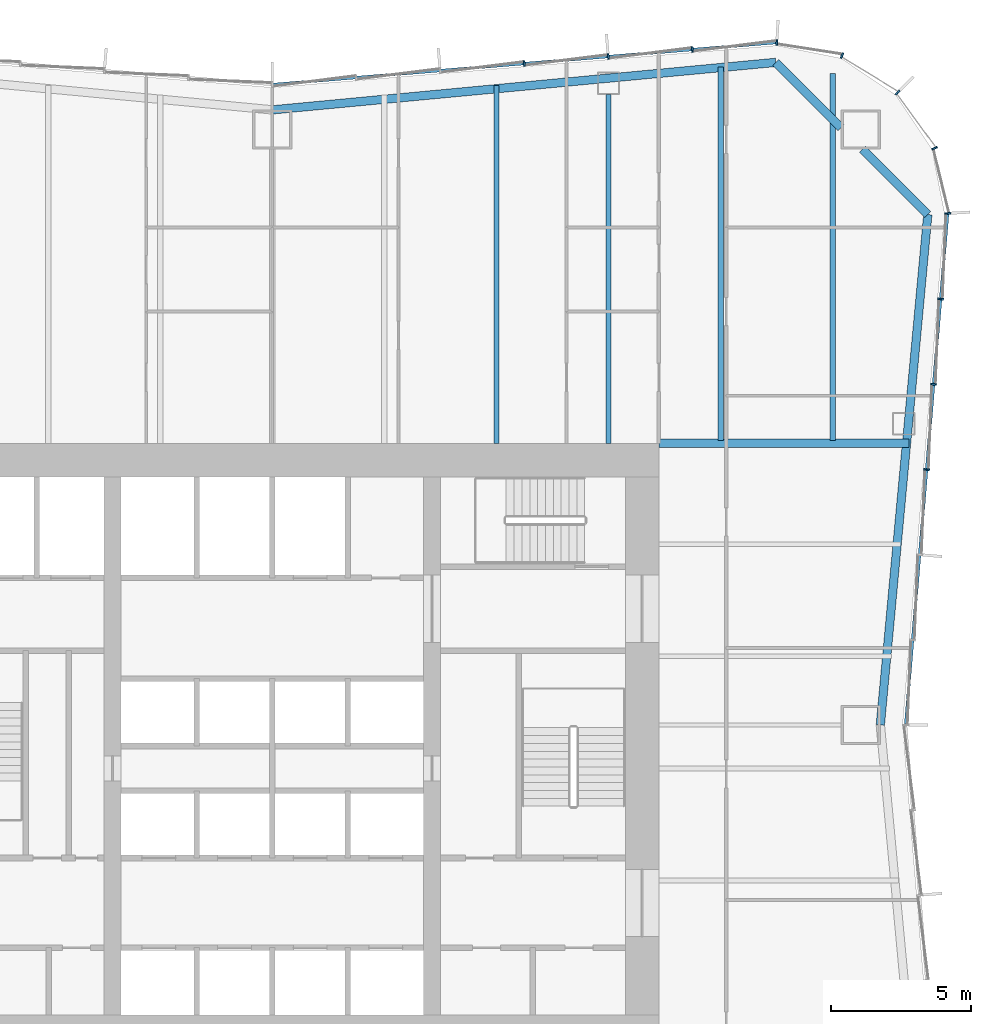
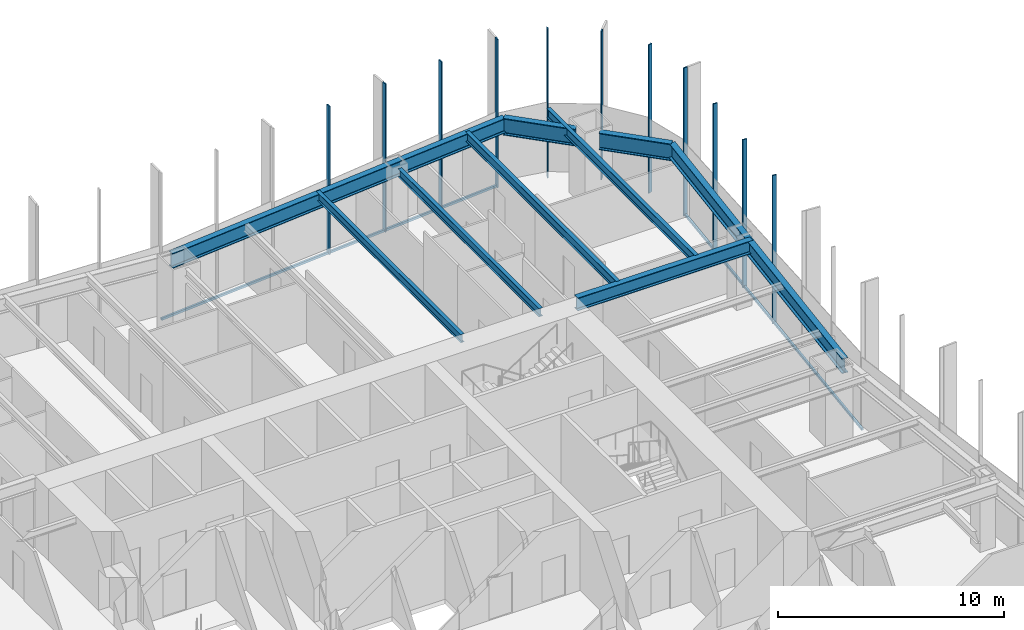
# One storey, part 6 of 13: 13 members, 9 beams, 3 elements without a shape of their own.
"""IFC4 building model written with IfcOpenShell, lengths in metres."""

from ifc_helpers import new_model, si_unit, direction, frame, origin, origin_2d, place, context, subcontext, project, spatial, rectangle, i_section, extrude, material, material_profile, profile_set, type_object, element, aggregate, save


model = new_model("IFC4")

# Units and contexts
model_context = context("Model", 3, precision=1e-05, world=origin(), true_north=direction((0.0, 1.0)))
body_context = subcontext(model_context, "Body", "Model", "MODEL_VIEW")
ifc_project = project(units=[si_unit("LENGTHUNIT", "METRE"), si_unit("AREAUNIT", "SQUARE_METRE"), si_unit("VOLUMEUNIT", "CUBIC_METRE"), si_unit("PLANEANGLEUNIT", "RADIAN"), si_unit("MASSUNIT", "GRAM", prefix="KILO")], contexts=[model_context])

# Site, building, storey
site_placement = place(None, origin())
site = spatial("IfcSite", under=ifc_project, at=site_placement, CompositionType="ELEMENT")
building_placement = place(site_placement, origin())
building = spatial("IfcBuilding", under=site, at=building_placement, Name="Verdant Reach Tower", CompositionType="ELEMENT")
storey_placement = place(building_placement, frame((0.0, 0.0, 106.0)))
storey = spatial("IfcBuildingStorey", under=building, at=storey_placement, Name="L24", CompositionType="ELEMENT", Elevation=106.0)

# Curtain wall, members
ifc_material_1 = material(Name="Anodised aluminium", Category="aluminium")
curtain_wall_type = type_object("IfcCurtainWallType", Name="EN-CW SYSTEM Z1", PredefinedType="NOTDEFINED", material=ifc_material_1)
curtain_wall_1_placement = place(storey_placement, origin())
curtain_wall_1 = element("IfcCurtainWall", 1, at=curtain_wall_1_placement, inside=storey, type_object=curtain_wall_type, Name="Curtain wall east, L24", PredefinedType="NOTDEFINED")
ifc_material_profile_1 = material_profile(ifc_material_1, rectangle(XDim=0.2060546875, YDim=0.06201171875, at=origin_2d()), Name="Mullion 62x206")
ifc_profile_set_1 = profile_set([ifc_material_profile_1], Name="Anodised aluminium")
member_type_1 = type_object("IfcMemberType", Name="EN-MULLION Z1", PredefinedType="MULLION", material=ifc_profile_set_1)
member_1_placement = place(storey_placement, frame((23.3525390625, 37.866455078125, -0.35009765625), z_axis=(0.0, 0.0, 1.0), x_axis=(0.996639273542, -0.081915556724, 0.0)))
member_1 = element("IfcMember", 2, at=member_1_placement, type_object=member_type_1, Name="Mullion east face part 2 4, L24", PredefinedType="MULLION", context=body_context, shape_type="SweptSolid", body=[
    extrude(rectangle(XDim=0.2060546875, YDim=0.06201171875, at=origin_2d()), origin(), (0.0, 0.0, 1.0), 8.0),
])
member_2_placement = place(storey_placement, frame((23.6025390625, 40.908203125, -0.35009765625), z_axis=(0.0, 0.0, 1.0), x_axis=(0.996639273542, -0.081915556724, 0.0)))
member_2 = element("IfcMember", 3, at=member_2_placement, type_object=member_type_1, Name="Mullion east face part 2 5, L24", PredefinedType="MULLION", context=body_context, shape_type="SweptSolid", body=[
    extrude(rectangle(XDim=0.2060546875, YDim=0.06201171875, at=origin_2d()), origin(), (0.0, 0.0, 1.0), 8.0),
])
member_3_placement = place(storey_placement, frame((23.8525390625, 43.949951171875, -0.35009765625), z_axis=(0.0, 0.0, 1.0), x_axis=(0.996639273542, -0.081915556724, 0.0)))
member_3 = element("IfcMember", 4, at=member_3_placement, type_object=member_type_1, Name="Mullion east face part 2 6, L24", PredefinedType="MULLION", context=body_context, shape_type="SweptSolid", body=[
    extrude(rectangle(XDim=0.2060546875, YDim=0.06201171875, at=origin_2d()), origin(), (0.0, 0.0, 1.0), 8.0),
])

curtain_wall_2_placement = place(storey_placement, origin())
curtain_wall_2 = element("IfcCurtainWall", 5, at=curtain_wall_2_placement, inside=storey, type_object=curtain_wall_type, Name="Curtain wall north-east corner, L24", PredefinedType="NOTDEFINED")
member_4_placement = place(storey_placement, frame((24.102783203125, 47.005859375, -0.35009765625), z_axis=(0.0, 0.0, 1.0), x_axis=(0.998366452275, 0.057135164055, 0.0)))
member_4 = element("IfcMember", 6, at=member_4_placement, type_object=member_type_1, Name="Mullion north-east corner 1, L24", PredefinedType="MULLION", context=body_context, shape_type="SweptSolid", body=[
    extrude(rectangle(XDim=0.2060546875, YDim=0.06201171875, at=origin_2d()), origin(), (0.0, 0.0, 1.0), 8.0),
])
member_5_placement = place(storey_placement, frame((23.638427734375, 49.33544921875, -0.35009765625), z_axis=(0.0, 0.0, 1.0), x_axis=(0.923875215753, 0.382693853776, 0.0)))
member_5 = element("IfcMember", 7, at=member_5_placement, type_object=member_type_1, Name="Mullion north-east corner 2, L24", PredefinedType="MULLION", context=body_context, shape_type="SweptSolid", body=[
    extrude(rectangle(XDim=0.2060546875, YDim=0.06201171875, at=origin_2d()), origin(), (0.0, 0.0, 1.0), 8.0),
])
member_6_placement = place(storey_placement, frame((22.3154296875, 51.3154296875, -0.35009765625), z_axis=(0.0, 0.0, 1.0), x_axis=(0.707106781187, 0.707106781187, 0.0)))
member_6 = element("IfcMember", 8, at=member_6_placement, type_object=member_type_1, Name="Mullion north-east corner 3, L24", PredefinedType="MULLION", context=body_context, shape_type="SweptSolid", body=[
    extrude(rectangle(XDim=0.2060546875, YDim=0.06201171875, at=origin_2d()), origin(), (0.0, 0.0, 1.0), 8.0),
])
member_7_placement = place(storey_placement, frame((20.33544921875, 52.638427734375, -0.35009765625), z_axis=(0.0, 0.0, 1.0), x_axis=(0.382693853776, 0.923875215753, 0.0)))
member_7 = element("IfcMember", 9, at=member_7_placement, type_object=member_type_1, Name="Mullion north-east corner 4, L24", PredefinedType="MULLION", context=body_context, shape_type="SweptSolid", body=[
    extrude(rectangle(XDim=0.2060546875, YDim=0.06201171875, at=origin_2d()), origin(), (0.0, 0.0, 1.0), 8.0),
])
aggregate(curtain_wall_2, [member_4, member_5, member_6, member_7])

curtain_wall_3_placement = place(storey_placement, origin())
curtain_wall_3 = element("IfcCurtainWall", 10, at=curtain_wall_3_placement, inside=storey, type_object=curtain_wall_type, Name="Curtain wall north, L24", PredefinedType="NOTDEFINED")
member_8_placement = place(storey_placement, frame((18.005859375, 53.102783203125, -0.35009765625), z_axis=(0.0, 0.0, 1.0), x_axis=(0.056569187765, 0.998398681387, 0.0)))
member_8 = element("IfcMember", 11, at=member_8_placement, type_object=member_type_1, Name="Mullion north face part 1 1, L24", PredefinedType="MULLION", context=body_context, shape_type="SweptSolid", body=[
    extrude(rectangle(XDim=0.2060546875, YDim=0.06201171875, at=origin_2d()), origin(), (0.0, 0.0, 1.0), 8.0),
])
member_9_placement = place(storey_placement, frame((14.991455078125, 52.8525390625, -0.35009765625), z_axis=(0.0, 0.0, 1.0), x_axis=(-0.083045479859, 0.996545758244, 0.0)))
member_9 = element("IfcMember", 12, at=member_9_placement, type_object=member_type_1, Name="Mullion north face part 1 2, L24", PredefinedType="MULLION", context=body_context, shape_type="SweptSolid", body=[
    extrude(rectangle(XDim=0.2060546875, YDim=0.06201171875, at=origin_2d()), origin(), (0.0, 0.0, 1.0), 8.0),
])
member_10_placement = place(storey_placement, frame((11.991455078125, 52.6025390625, -0.35009765625), z_axis=(0.0, 0.0, 1.0), x_axis=(-0.083045479859, 0.996545758244, 0.0)))
member_10 = element("IfcMember", 13, at=member_10_placement, type_object=member_type_1, Name="Mullion north face part 1 3, L24", PredefinedType="MULLION", context=body_context, shape_type="SweptSolid", body=[
    extrude(rectangle(XDim=0.2060546875, YDim=0.06201171875, at=origin_2d()), origin(), (0.0, 0.0, 1.0), 8.0),
])
member_11_placement = place(storey_placement, frame((8.991455078125, 52.3525390625, -0.35009765625), z_axis=(0.0, 0.0, 1.0), x_axis=(-0.083045479859, 0.996545758244, 0.0)))
member_11 = element("IfcMember", 14, at=member_11_placement, type_object=member_type_1, Name="Mullion north face part 1 4, L24", PredefinedType="MULLION", context=body_context, shape_type="SweptSolid", body=[
    extrude(rectangle(XDim=0.2060546875, YDim=0.06201171875, at=origin_2d()), origin(), (0.0, 0.0, 1.0), 8.0),
])

# Member
ifc_material_profile_2 = material_profile(ifc_material_1, rectangle(XDim=0.10009765625, YDim=0.1220703125, at=origin_2d()), Name="Transom 122x100")
ifc_profile_set_2 = profile_set([ifc_material_profile_2], Name="Anodised aluminium")
member_type_2 = type_object("IfcMemberType", Name="EN-TRANSOM Z1", PredefinedType="USERDEFINED", material=ifc_profile_set_2)
member_12_placement = place(storey_placement, frame((22.60546875, 28.781005859375, -0.2890625), z_axis=(0.081886623329, 0.996641651207, 0.0), x_axis=(-0.996641651207, 0.081886623329, 0.0)))
member_12 = element("IfcMember", 15, at=member_12_placement, type_object=member_type_2, Name="Transom east face part 2 1.1, L24", ObjectType="TRANSOM", PredefinedType="USERDEFINED", context=body_context, shape_type="SweptSolid", body=[
    extrude(rectangle(XDim=0.10009765625, YDim=0.1220703125, at=origin_2d()), origin(), (0.0, 0.0, 1.0), 18.25537109375),
])

aggregate(curtain_wall_1, [member_1, member_2, member_3, member_12])

member_13_placement = place(storey_placement, frame((17.974853515625, 53.100341796875, -0.2890625), z_axis=(-0.996547815143, -0.083020793384, 0.0), x_axis=(0.083020793384, -0.996547815143, 0.0)))
member_13 = element("IfcMember", 16, at=member_13_placement, type_object=member_type_2, Name="Transom north face part 1 1.1, L24", ObjectType="TRANSOM", PredefinedType="USERDEFINED", context=body_context, shape_type="SweptSolid", body=[
    extrude(rectangle(XDim=0.10009765625, YDim=0.1220703125, at=origin_2d()), origin(), (0.0, 0.0, 1.0), 18.006103515625),
])

aggregate(curtain_wall_3, [member_8, member_9, member_10, member_11, member_13])

# Beams
ifc_material_2 = material(Name="Steel S355", Category="steel")
ifc_material_profile_3 = material_profile(ifc_material_2, i_section(OverallWidth=0.300048828125, OverallDepth=0.699951171875, WebThickness=0.01708984375, FlangeThickness=0.031982421875, FilletRadius=0.027099609375, at=origin_2d()), Name="HEB 700")
ifc_profile_set_3 = profile_set([ifc_material_profile_3], Name="Steel S355")
beam_type_1 = type_object("IfcBeamType", Name="ST-BEAM-HEB700", PredefinedType="BEAM", material=ifc_profile_set_3)
beam_1_placement = place(storey_placement, frame((13.800048828125, 38.800048828125, 3.52001953125), z_axis=(1.0, 0.0, 0.0), x_axis=(0.0, 1.0, 0.0)))
element("IfcBeam", 17, at=beam_1_placement, inside=storey, type_object=beam_type_1, Name="Trimmer beam, L24", PredefinedType="BEAM", context=body_context, shape_type="SweptSolid", body=[
    extrude(i_section(OverallWidth=0.300048828125, OverallDepth=0.699951171875, WebThickness=0.01708984375, FlangeThickness=0.031982421875, FilletRadius=0.027099609375, at=origin_2d()), origin(), (0.0, 0.0, 1.0), 8.924072265625),
])
ifc_material_profile_4 = material_profile(ifc_material_2, i_section(OverallWidth=0.18994140625, OverallDepth=0.449951171875, WebThickness=0.009521484375, FlangeThickness=0.0146484375, FilletRadius=0.02099609375, at=origin_2d()), Name="IPE 450")
ifc_profile_set_4 = profile_set([ifc_material_profile_4], Name="Steel S355")
beam_type_2 = type_object("IfcBeamType", Name="ST-JOIST-IPE450", PredefinedType="JOIST", material=ifc_profile_set_4)
beam_2_placement = place(storey_placement, frame((8.0, 38.800048828125, 3.64501953125), z_axis=(0.0, 1.0, 0.0), x_axis=(-1.0, 0.0, 0.0)))
element("IfcBeam", 18, at=beam_2_placement, inside=storey, type_object=beam_type_2, Name="Floor joist, L24", PredefinedType="JOIST", context=body_context, shape_type="SweptSolid", body=[
    extrude(i_section(OverallWidth=0.18994140625, OverallDepth=0.449951171875, WebThickness=0.009521484375, FlangeThickness=0.0146484375, FilletRadius=0.02099609375, at=origin_2d()), origin(), (0.0, 0.0, 1.0), 12.7646484375),
])
beam_3_placement = place(storey_placement, frame((12.0, 38.800048828125, 3.64501953125), z_axis=(0.0, 1.0, 0.0), x_axis=(-1.0, 0.0, 0.0)))
element("IfcBeam", 19, at=beam_3_placement, inside=storey, type_object=beam_type_2, Name="Floor joist, L24", PredefinedType="JOIST", context=body_context, shape_type="SweptSolid", body=[
    extrude(i_section(OverallWidth=0.18994140625, OverallDepth=0.449951171875, WebThickness=0.009521484375, FlangeThickness=0.0146484375, FilletRadius=0.02099609375, at=origin_2d()), origin(), (0.0, 0.0, 1.0), 12.449951171875),
])
ifc_material_profile_5 = material_profile(ifc_material_2, i_section(OverallWidth=0.199951171875, OverallDepth=0.5, WebThickness=0.01025390625, FlangeThickness=0.01611328125, FilletRadius=0.02099609375, at=origin_2d()), Name="IPE 500")
ifc_profile_set_5 = profile_set([ifc_material_profile_5], Name="Steel S355")
beam_type_3 = type_object("IfcBeamType", Name="ST-JOIST-IPE500", PredefinedType="JOIST", material=ifc_profile_set_5)
beam_4_placement = place(storey_placement, frame((16.0, 38.89990234375, 3.6201171875), z_axis=(0.0, 1.0, 0.0), x_axis=(-1.0, 0.0, 0.0)))
element("IfcBeam", 20, at=beam_4_placement, inside=storey, type_object=beam_type_3, Name="Floor joist, L24", PredefinedType="JOIST", context=body_context, shape_type="SweptSolid", body=[
    extrude(i_section(OverallWidth=0.199951171875, OverallDepth=0.5, WebThickness=0.01025390625, FlangeThickness=0.01611328125, FilletRadius=0.02099609375, at=origin_2d()), origin(), (0.0, 0.0, 1.0), 13.331298828125),
])
beam_5_placement = place(storey_placement, frame((20.0, 38.89990234375, 3.6201171875), z_axis=(0.0, 1.0, 0.0), x_axis=(-1.0, 0.0, 0.0)))
element("IfcBeam", 21, at=beam_5_placement, inside=storey, type_object=beam_type_3, Name="Floor joist, L24", PredefinedType="JOIST", context=body_context, shape_type="SweptSolid", body=[
    extrude(i_section(OverallWidth=0.199951171875, OverallDepth=0.5, WebThickness=0.01025390625, FlangeThickness=0.01611328125, FilletRadius=0.02099609375, at=origin_2d()), origin(), (0.0, 0.0, 1.0), 13.090576171875),
])
ifc_material_profile_6 = material_profile(ifc_material_2, i_section(OverallWidth=0.300048828125, OverallDepth=0.800048828125, WebThickness=0.017578125, FlangeThickness=0.032958984375, FilletRadius=0.030029296875, at=origin_2d()), Name="HEB 800")
ifc_profile_set_6 = profile_set([ifc_material_profile_6], Name="Steel S355")
beam_type_4 = type_object("IfcBeamType", Name="ST-SPANDREL-HEB800", PredefinedType="SPANDREL", material=ifc_profile_set_6)
beam_6_placement = place(storey_placement, frame((0.0, 50.699951171875, 3.469970703125), z_axis=(0.995578571765, 0.093932462137, 0.0), x_axis=(-0.093932462137, 0.995578571765, 0.0)))
element("IfcBeam", 22, at=beam_6_placement, inside=storey, type_object=beam_type_4, Name="Edge beam, L24", PredefinedType="SPANDREL", context=body_context, shape_type="SweptSolid", body=[
    extrude(i_section(OverallWidth=0.300048828125, OverallDepth=0.800048828125, WebThickness=0.017578125, FlangeThickness=0.032958984375, FilletRadius=0.030029296875, at=origin_2d()), origin(), (0.0, 0.0, 1.0), 18.045654296875),
])
beam_7_placement = place(storey_placement, frame((23.39501953125, 46.96533203125, 3.469970703125), z_axis=(-0.092656907618, -0.995698095544, 0.0), x_axis=(0.995698095544, -0.092656907618, 0.0)))
element("IfcBeam", 23, at=beam_7_placement, inside=storey, type_object=beam_type_4, Name="Edge beam, L24", PredefinedType="SPANDREL", context=body_context, shape_type="SweptSolid", body=[
    extrude(i_section(OverallWidth=0.300048828125, OverallDepth=0.800048828125, WebThickness=0.017578125, FlangeThickness=0.032958984375, FilletRadius=0.030029296875, at=origin_2d()), origin(), (0.0, 0.0, 1.0), 18.2939453125),
])
ifc_material_profile_7 = material_profile(ifc_material_2, i_section(OverallWidth=0.302001953125, OverallDepth=0.909912109375, WebThickness=0.02099609375, FlangeThickness=0.0400390625, FilletRadius=0.030029296875, at=origin_2d()), Name="HEM 900")
ifc_profile_set_7 = profile_set([ifc_material_profile_7], Name="Steel S355")
beam_type_5 = type_object("IfcBeamType", Name="ST-SPANDREL-HEM900", PredefinedType="SPANDREL", material=ifc_profile_set_7)
beam_8_placement = place(storey_placement, frame((17.9658203125, 52.39501953125, 3.4150390625), z_axis=(0.707106781187, -0.707106781187, 0.0), x_axis=(0.707106781187, 0.707106781187, 0.0)))
element("IfcBeam", 24, at=beam_8_placement, inside=storey, type_object=beam_type_5, Name="Edge beam, L24", PredefinedType="SPANDREL", context=body_context, shape_type="SweptSolid", body=[
    extrude(i_section(OverallWidth=0.302001953125, OverallDepth=0.909912109375, WebThickness=0.02099609375, FlangeThickness=0.0400390625, FilletRadius=0.030029296875, at=origin_2d()), origin(), (0.0, 0.0, 1.0), 3.301025390625),
])
beam_9_placement = place(storey_placement, frame((21.060546875, 49.300048828125, 3.4150390625), z_axis=(0.707069807316, -0.707143753123, 0.0), x_axis=(0.707143753123, 0.707069807316, 0.0)))
element("IfcBeam", 25, at=beam_9_placement, inside=storey, type_object=beam_type_5, Name="Edge beam, L24", PredefinedType="SPANDREL", context=body_context, shape_type="SweptSolid", body=[
    extrude(i_section(OverallWidth=0.302001953125, OverallDepth=0.909912109375, WebThickness=0.02099609375, FlangeThickness=0.0400390625, FilletRadius=0.030029296875, at=origin_2d()), origin(), (0.0, 0.0, 1.0), 3.301513671875),
])

save(model, "model.ifc")
